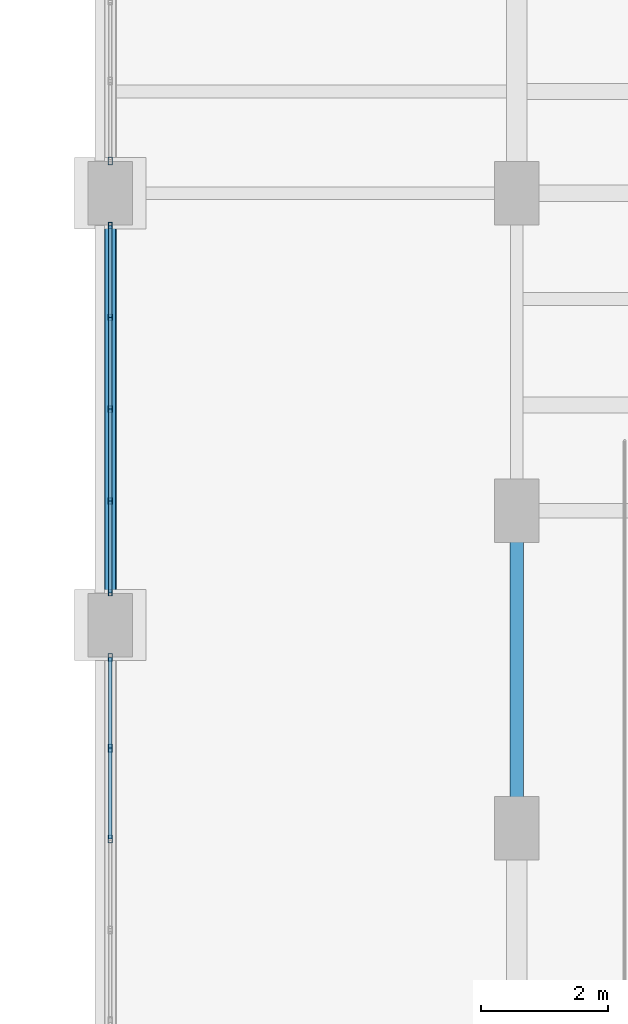
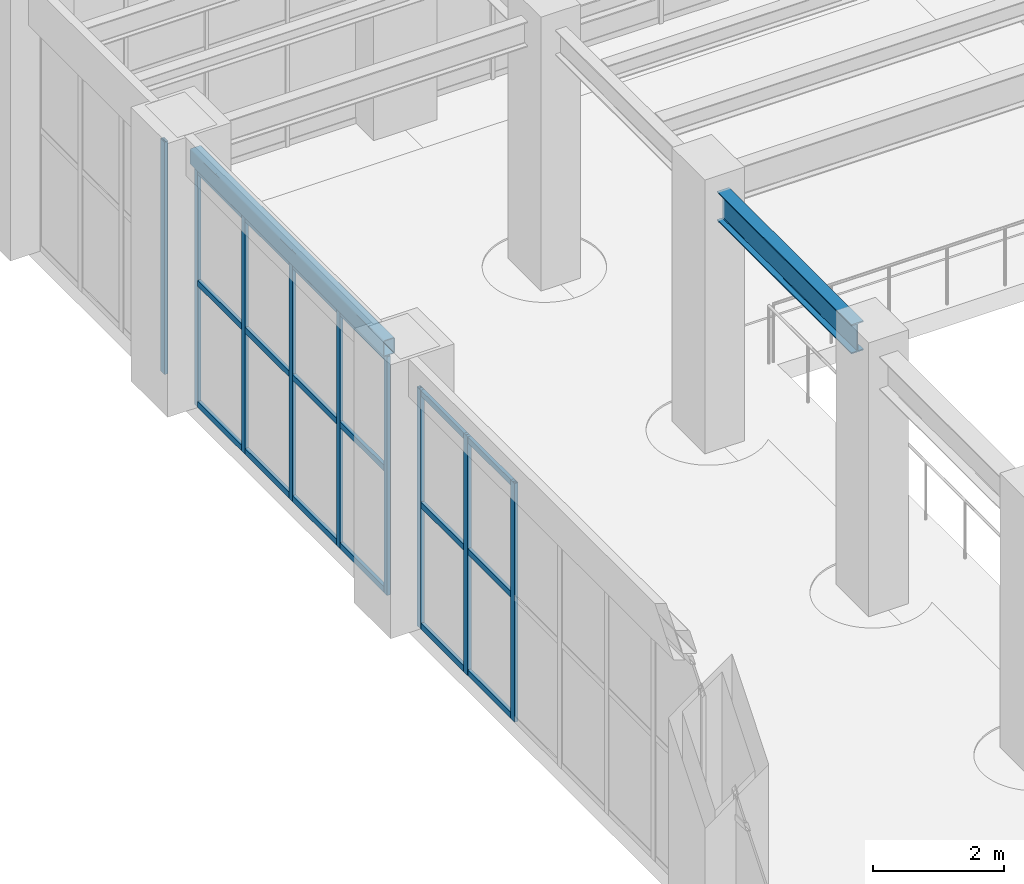
# One storey, part 86 of 174: 27 members, 2 beams, 3 elements without a shape of their own.
"""IFC4 building model written with IfcOpenShell, lengths in metres."""

from ifc_helpers import new_model, si_unit, direction, frame, origin, origin_2d, place, context, subcontext, project, spatial, hollow_rectangle, i_section, extrude, material, material_profile, profile_set, type_object, element, aggregate, save


model = new_model("IFC4")

# Units and contexts
model_context = context("Model", 3, precision=1e-05, world=origin(), true_north=direction((0.0, 1.0)))
body_context = subcontext(model_context, "Body", "Model", "MODEL_VIEW")
ifc_project = project(units=[si_unit("LENGTHUNIT", "METRE"), si_unit("AREAUNIT", "SQUARE_METRE"), si_unit("VOLUMEUNIT", "CUBIC_METRE"), si_unit("PLANEANGLEUNIT", "RADIAN"), si_unit("MASSUNIT", "GRAM", prefix="KILO")], contexts=[model_context])

# Site, building, storey
site_placement = place(None, origin())
site = spatial("IfcSite", under=ifc_project, at=site_placement, CompositionType="ELEMENT")
building_placement = place(site_placement, origin())
building = spatial("IfcBuilding", under=site, at=building_placement, Name="Mavantir Sound Aquarium", CompositionType="ELEMENT")
storey_placement = place(building_placement, frame((0.0, 0.0, 5.39990234375)))
storey = spatial("IfcBuildingStorey", under=building, at=storey_placement, Name="L01", CompositionType="ELEMENT", Elevation=5.39990234375)

# Beams
ifc_material_1 = material(Name="Hollow Structural Steel ASTM A500 GrC", Category="steel")
ifc_material_profile_1 = material_profile(ifc_material_1, hollow_rectangle(XDim=0.199951171875, YDim=0.300048828125, WallThickness=0.012451171875, InnerFilletRadius=0.012451171875, OuterFilletRadius=0.02490234375, at=origin_2d()), Name="RHS 300X200X12.5")
ifc_profile_set_1 = profile_set([ifc_material_profile_1], Name="Hollow Structural Steel ASTM A500 GrC")
beam_type_1 = type_object("IfcBeamType", Name="BM-RHS300-E", PredefinedType="SPANDREL", material=ifc_profile_set_1)
beam_1_placement = place(storey_placement, frame((101.60009765625, 84.449951171875, 4.6259765625), z_axis=(0.0, 1.0, 0.0), x_axis=(-1.0, 0.0, 0.0)))
element("IfcBeam", 1, at=beam_1_placement, inside=storey, type_object=beam_type_1, Name="L01 primary girder SS-R30 1288", PredefinedType="SPANDREL", context=body_context, shape_type="SweptSolid", body=[
    extrude(hollow_rectangle(XDim=0.199951171875, YDim=0.300048828125, WallThickness=0.012451171875, InnerFilletRadius=0.012451171875, OuterFilletRadius=0.02490234375, at=origin_2d()), origin(), (0.0, 0.0, 1.0), 5.900146484375),
])
ifc_material_2 = material(Name="Structural Steel ASTM A992 Gr50", Category="steel")
ifc_material_profile_2 = material_profile(ifc_material_2, i_section(OverallWidth=0.2119140625, OverallDepth=0.5439453125, WebThickness=0.01318359375, FlangeThickness=0.021240234375, FilletRadius=0.01806640625, at=origin_2d()), Name="W530X123")
ifc_profile_set_2 = profile_set([ifc_material_profile_2], Name="Structural Steel ASTM A992 Gr50")
beam_type_2 = type_object("IfcBeamType", Name="BM-W530X123-I", PredefinedType="BEAM", material=ifc_profile_set_2)
beam_2_placement = place(storey_placement, frame((108.0, 81.25, 4.504150390625), z_axis=(0.0, 1.0, 0.0), x_axis=(-1.0, 0.0, 0.0)))
element("IfcBeam", 2, at=beam_2_placement, inside=storey, type_object=beam_type_2, Name="L01 primary girder SB-53 1298", PredefinedType="BEAM", context=body_context, shape_type="SweptSolid", body=[
    extrude(i_section(OverallWidth=0.2119140625, OverallDepth=0.5439453125, WebThickness=0.01318359375, FlangeThickness=0.021240234375, FilletRadius=0.01806640625, at=origin_2d()), origin(), (0.0, 0.0, 1.0), 4.10009765625),
])

# Curtain wall, members
ifc_material_3 = material(Name="Anodised Marine Aluminium and Low-E Glass", Category="aluminium")
curtain_wall_type_1 = type_object("IfcCurtainWallType", Name="CW-T19", PredefinedType="USERDEFINED", material=ifc_material_3)
curtain_wall_1_placement = place(storey_placement, origin())
curtain_wall_1 = element("IfcCurtainWall", 3, at=curtain_wall_1_placement, inside=storey, type_object=curtain_wall_type_1, Name="L01 unitised curtain wall CW-19 91", ObjectType="UNITISED GLAZING", PredefinedType="USERDEFINED")
ifc_material_4 = material(Name="Anodised Marine Aluminium 6063-T6", Category="aluminium")
ifc_material_profile_3 = material_profile(ifc_material_4, hollow_rectangle(XDim=0.06005859375, YDim=0.10009765625, WallThickness=0.00390625, at=origin_2d()), Name="ALU-MULLION-100X60")
ifc_profile_set_3 = profile_set([ifc_material_profile_3], Name="Anodised Marine Aluminium 6063-T6")
member_type_1 = type_object("IfcMemberType", Name="CW-MUL-100", PredefinedType="MULLION", material=ifc_profile_set_3)
member_1_placement = place(storey_placement, frame((101.60009765625, 90.2919921875, 0.0), z_axis=(0.0, 0.0, 1.0), x_axis=(1.0, 0.0, 0.0)))
member_1 = element("IfcMember", 4, at=member_1_placement, type_object=member_type_1, Name="CW-L01-091 vertical mullion 1", PredefinedType="MULLION", context=body_context, shape_type="SweptSolid", body=[
    extrude(hollow_rectangle(XDim=0.06005859375, YDim=0.10009765625, WallThickness=0.00390625, at=origin_2d()), origin(), (0.0, 0.0, 1.0), 4.446044921875),
])
member_2_placement = place(storey_placement, frame((101.60009765625, 88.845947265625, 0.0), z_axis=(0.0, 0.0, 1.0), x_axis=(1.0, 0.0, 0.0)))
member_2 = element("IfcMember", 5, at=member_2_placement, type_object=member_type_1, Name="CW-L01-091 vertical mullion 2", PredefinedType="MULLION", context=body_context, shape_type="SweptSolid", body=[
    extrude(hollow_rectangle(XDim=0.06005859375, YDim=0.10009765625, WallThickness=0.00390625, at=origin_2d()), origin(), (0.0, 0.0, 1.0), 4.446044921875),
])
member_3_placement = place(storey_placement, frame((101.60009765625, 87.39990234375, 0.0), z_axis=(0.0, 0.0, 1.0), x_axis=(1.0, 0.0, 0.0)))
member_3 = element("IfcMember", 6, at=member_3_placement, type_object=member_type_1, Name="CW-L01-091 vertical mullion 3", PredefinedType="MULLION", context=body_context, shape_type="SweptSolid", body=[
    extrude(hollow_rectangle(XDim=0.06005859375, YDim=0.10009765625, WallThickness=0.00390625, at=origin_2d()), origin(), (0.0, 0.0, 1.0), 4.446044921875),
])
member_4_placement = place(storey_placement, frame((101.60009765625, 85.9541015625, 0.0), z_axis=(0.0, 0.0, 1.0), x_axis=(1.0, 0.0, 0.0)))
member_4 = element("IfcMember", 7, at=member_4_placement, type_object=member_type_1, Name="CW-L01-091 vertical mullion 4", PredefinedType="MULLION", context=body_context, shape_type="SweptSolid", body=[
    extrude(hollow_rectangle(XDim=0.06005859375, YDim=0.10009765625, WallThickness=0.00390625, at=origin_2d()), origin(), (0.0, 0.0, 1.0), 4.446044921875),
])
member_5_placement = place(storey_placement, frame((101.60009765625, 84.508056640625, 0.0), z_axis=(0.0, 0.0, 1.0), x_axis=(1.0, 0.0, 0.0)))
member_5 = element("IfcMember", 8, at=member_5_placement, type_object=member_type_1, Name="CW-L01-091 vertical mullion 5", PredefinedType="MULLION", context=body_context, shape_type="SweptSolid", body=[
    extrude(hollow_rectangle(XDim=0.06005859375, YDim=0.10009765625, WallThickness=0.00390625, at=origin_2d()), origin(), (0.0, 0.0, 1.0), 4.446044921875),
])

# Curtain wall, member
curtain_wall_type_2 = type_object("IfcCurtainWallType", Name="CW-T18", PredefinedType="USERDEFINED", material=ifc_material_3)
curtain_wall_2_placement = place(storey_placement, origin())
curtain_wall_2 = element("IfcCurtainWall", 9, at=curtain_wall_2_placement, inside=storey, type_object=curtain_wall_type_2, Name="L01 unitised curtain wall CW-18 90", ObjectType="UNITISED GLAZING", PredefinedType="USERDEFINED")
ifc_material_profile_4 = material_profile(ifc_material_4, hollow_rectangle(XDim=0.06494140625, YDim=0.1201171875, WallThickness=0.00390625, at=origin_2d()), Name="ALU-MULLION-120X65")
ifc_profile_set_4 = profile_set([ifc_material_profile_4], Name="Anodised Marine Aluminium 6063-T6")
member_type_2 = type_object("IfcMemberType", Name="CW-MUL-120", PredefinedType="MULLION", material=ifc_profile_set_4)
member_6_placement = place(storey_placement, frame((101.60009765625, 91.30810546875, 0.0), z_axis=(0.0, 0.0, 1.0), x_axis=(1.0, 0.0, 0.0)))
member_6 = element("IfcMember", 10, at=member_6_placement, type_object=member_type_2, Name="CW-L01-090 vertical mullion 4", PredefinedType="MULLION", context=body_context, shape_type="SweptSolid", body=[
    extrude(hollow_rectangle(XDim=0.06494140625, YDim=0.1201171875, WallThickness=0.00390625, at=origin_2d()), origin(), (0.0, 0.0, 1.0), 4.3291015625),
])
aggregate(curtain_wall_2, [member_6])

# Curtain wall, members
curtain_wall_type_3 = type_object("IfcCurtainWallType", Name="CW-T20", PredefinedType="USERDEFINED", material=ifc_material_3)
curtain_wall_3_placement = place(storey_placement, origin())
curtain_wall_3 = element("IfcCurtainWall", 11, at=curtain_wall_3_placement, inside=storey, type_object=curtain_wall_type_3, Name="L01 unitised curtain wall CW-20 92", ObjectType="UNITISED GLAZING", PredefinedType="USERDEFINED")
member_7_placement = place(storey_placement, frame((101.60009765625, 83.491943359375, 0.0), z_axis=(0.0, 0.0, 1.0), x_axis=(1.0, 0.0, 0.0)))
member_7 = element("IfcMember", 12, at=member_7_placement, type_object=member_type_2, Name="CW-L01-092 vertical mullion 1", PredefinedType="MULLION", context=body_context, shape_type="SweptSolid", body=[
    extrude(hollow_rectangle(XDim=0.06494140625, YDim=0.1201171875, WallThickness=0.00390625, at=origin_2d()), origin(), (0.0, 0.0, 1.0), 4.446044921875),
])
member_8_placement = place(storey_placement, frame((101.60009765625, 82.061279296875, 0.0), z_axis=(0.0, 0.0, 1.0), x_axis=(1.0, 0.0, 0.0)))
member_8 = element("IfcMember", 13, at=member_8_placement, type_object=member_type_2, Name="CW-L01-092 vertical mullion 2", PredefinedType="MULLION", context=body_context, shape_type="SweptSolid", body=[
    extrude(hollow_rectangle(XDim=0.06494140625, YDim=0.1201171875, WallThickness=0.00390625, at=origin_2d()), origin(), (0.0, 0.0, 1.0), 4.446044921875),
])
member_9_placement = place(storey_placement, frame((101.60009765625, 80.630615234375, 0.0), z_axis=(0.0, 0.0, 1.0), x_axis=(1.0, 0.0, 0.0)))
member_9 = element("IfcMember", 14, at=member_9_placement, type_object=member_type_2, Name="CW-L01-092 vertical mullion 3", PredefinedType="MULLION", context=body_context, shape_type="SweptSolid", body=[
    extrude(hollow_rectangle(XDim=0.06494140625, YDim=0.1201171875, WallThickness=0.00390625, at=origin_2d()), origin(), (0.0, 0.0, 1.0), 4.446044921875),
])

# Member
ifc_material_profile_5 = material_profile(ifc_material_4, hollow_rectangle(XDim=0.06005859375, YDim=0.110107421875, WallThickness=0.00390625, at=origin_2d()), Name="ALU-TRANSOM-110X60")
ifc_profile_set_5 = profile_set([ifc_material_profile_5], Name="Anodised Marine Aluminium 6063-T6")
member_type_3 = type_object("IfcMemberType", Name="CW-TRN-110", PredefinedType="USERDEFINED", material=ifc_profile_set_5)
member_10_placement = place(storey_placement, frame((101.60009765625, 90.2919921875, 0.05517578125), z_axis=(0.0, -1.0, 0.0), x_axis=(1.0, 0.0, 0.0)))
member_10 = element("IfcMember", 15, at=member_10_placement, type_object=member_type_3, Name="CW-L01-091 transom 1.1", ObjectType="TRANSOM", PredefinedType="USERDEFINED", context=body_context, shape_type="SweptSolid", body=[
    extrude(hollow_rectangle(XDim=0.06005859375, YDim=0.110107421875, WallThickness=0.00390625, at=origin_2d()), origin(), (0.0, 0.0, 1.0), 1.446044921875),
])

member_11_placement = place(storey_placement, frame((101.60009765625, 90.2919921875, 2.31201171875), z_axis=(0.0, -1.0, 0.0), x_axis=(1.0, 0.0, 0.0)))
member_11 = element("IfcMember", 16, at=member_11_placement, type_object=member_type_3, Name="CW-L01-091 transom 1.2", ObjectType="TRANSOM", PredefinedType="USERDEFINED", context=body_context, shape_type="SweptSolid", body=[
    extrude(hollow_rectangle(XDim=0.06005859375, YDim=0.110107421875, WallThickness=0.00390625, at=origin_2d()), origin(), (0.0, 0.0, 1.0), 1.446044921875),
])

member_12_placement = place(storey_placement, frame((101.60009765625, 90.2919921875, 4.39111328125), z_axis=(0.0, -1.0, 0.0), x_axis=(1.0, 0.0, 0.0)))
member_12 = element("IfcMember", 17, at=member_12_placement, type_object=member_type_3, Name="CW-L01-091 transom 1.3", ObjectType="TRANSOM", PredefinedType="USERDEFINED", context=body_context, shape_type="SweptSolid", body=[
    extrude(hollow_rectangle(XDim=0.06005859375, YDim=0.110107421875, WallThickness=0.00390625, at=origin_2d()), origin(), (0.0, 0.0, 1.0), 1.446044921875),
])

member_13_placement = place(storey_placement, frame((101.60009765625, 88.845947265625, 0.05517578125), z_axis=(0.0, -1.0, 0.0), x_axis=(1.0, 0.0, 0.0)))
member_13 = element("IfcMember", 18, at=member_13_placement, type_object=member_type_3, Name="CW-L01-091 transom 2.1", ObjectType="TRANSOM", PredefinedType="USERDEFINED", context=body_context, shape_type="SweptSolid", body=[
    extrude(hollow_rectangle(XDim=0.06005859375, YDim=0.110107421875, WallThickness=0.00390625, at=origin_2d()), origin(), (0.0, 0.0, 1.0), 1.446044921875),
])

member_14_placement = place(storey_placement, frame((101.60009765625, 88.845947265625, 2.31201171875), z_axis=(0.0, -1.0, 0.0), x_axis=(1.0, 0.0, 0.0)))
member_14 = element("IfcMember", 19, at=member_14_placement, type_object=member_type_3, Name="CW-L01-091 transom 2.2", ObjectType="TRANSOM", PredefinedType="USERDEFINED", context=body_context, shape_type="SweptSolid", body=[
    extrude(hollow_rectangle(XDim=0.06005859375, YDim=0.110107421875, WallThickness=0.00390625, at=origin_2d()), origin(), (0.0, 0.0, 1.0), 1.446044921875),
])

member_15_placement = place(storey_placement, frame((101.60009765625, 88.845947265625, 4.39111328125), z_axis=(0.0, -1.0, 0.0), x_axis=(1.0, 0.0, 0.0)))
member_15 = element("IfcMember", 20, at=member_15_placement, type_object=member_type_3, Name="CW-L01-091 transom 2.3", ObjectType="TRANSOM", PredefinedType="USERDEFINED", context=body_context, shape_type="SweptSolid", body=[
    extrude(hollow_rectangle(XDim=0.06005859375, YDim=0.110107421875, WallThickness=0.00390625, at=origin_2d()), origin(), (0.0, 0.0, 1.0), 1.446044921875),
])

member_16_placement = place(storey_placement, frame((101.60009765625, 87.39990234375, 0.05517578125), z_axis=(0.0, -1.0, 0.0), x_axis=(1.0, 0.0, 0.0)))
member_16 = element("IfcMember", 21, at=member_16_placement, type_object=member_type_3, Name="CW-L01-091 transom 3.1", ObjectType="TRANSOM", PredefinedType="USERDEFINED", context=body_context, shape_type="SweptSolid", body=[
    extrude(hollow_rectangle(XDim=0.06005859375, YDim=0.110107421875, WallThickness=0.00390625, at=origin_2d()), origin(), (0.0, 0.0, 1.0), 1.44580078125),
])

member_17_placement = place(storey_placement, frame((101.60009765625, 87.39990234375, 2.31201171875), z_axis=(0.0, -1.0, 0.0), x_axis=(1.0, 0.0, 0.0)))
member_17 = element("IfcMember", 22, at=member_17_placement, type_object=member_type_3, Name="CW-L01-091 transom 3.2", ObjectType="TRANSOM", PredefinedType="USERDEFINED", context=body_context, shape_type="SweptSolid", body=[
    extrude(hollow_rectangle(XDim=0.06005859375, YDim=0.110107421875, WallThickness=0.00390625, at=origin_2d()), origin(), (0.0, 0.0, 1.0), 1.44580078125),
])

member_18_placement = place(storey_placement, frame((101.60009765625, 87.39990234375, 4.39111328125), z_axis=(0.0, -1.0, 0.0), x_axis=(1.0, 0.0, 0.0)))
member_18 = element("IfcMember", 23, at=member_18_placement, type_object=member_type_3, Name="CW-L01-091 transom 3.3", ObjectType="TRANSOM", PredefinedType="USERDEFINED", context=body_context, shape_type="SweptSolid", body=[
    extrude(hollow_rectangle(XDim=0.06005859375, YDim=0.110107421875, WallThickness=0.00390625, at=origin_2d()), origin(), (0.0, 0.0, 1.0), 1.44580078125),
])

member_19_placement = place(storey_placement, frame((101.60009765625, 85.9541015625, 0.05517578125), z_axis=(0.0, -1.0, 0.0), x_axis=(1.0, 0.0, 0.0)))
member_19 = element("IfcMember", 24, at=member_19_placement, type_object=member_type_3, Name="CW-L01-091 transom 4.1", ObjectType="TRANSOM", PredefinedType="USERDEFINED", context=body_context, shape_type="SweptSolid", body=[
    extrude(hollow_rectangle(XDim=0.06005859375, YDim=0.110107421875, WallThickness=0.00390625, at=origin_2d()), origin(), (0.0, 0.0, 1.0), 1.446044921875),
])

member_20_placement = place(storey_placement, frame((101.60009765625, 85.9541015625, 2.31201171875), z_axis=(0.0, -1.0, 0.0), x_axis=(1.0, 0.0, 0.0)))
member_20 = element("IfcMember", 25, at=member_20_placement, type_object=member_type_3, Name="CW-L01-091 transom 4.2", ObjectType="TRANSOM", PredefinedType="USERDEFINED", context=body_context, shape_type="SweptSolid", body=[
    extrude(hollow_rectangle(XDim=0.06005859375, YDim=0.110107421875, WallThickness=0.00390625, at=origin_2d()), origin(), (0.0, 0.0, 1.0), 1.446044921875),
])

member_21_placement = place(storey_placement, frame((101.60009765625, 85.9541015625, 4.39111328125), z_axis=(0.0, -1.0, 0.0), x_axis=(1.0, 0.0, 0.0)))
member_21 = element("IfcMember", 26, at=member_21_placement, type_object=member_type_3, Name="CW-L01-091 transom 4.3", ObjectType="TRANSOM", PredefinedType="USERDEFINED", context=body_context, shape_type="SweptSolid", body=[
    extrude(hollow_rectangle(XDim=0.06005859375, YDim=0.110107421875, WallThickness=0.00390625, at=origin_2d()), origin(), (0.0, 0.0, 1.0), 1.446044921875),
])

aggregate(curtain_wall_1, [member_1, member_2, member_3, member_4, member_5, member_10, member_11, member_12, member_13, member_14, member_15, member_16, member_17, member_18, member_19, member_20, member_21])

member_22_placement = place(storey_placement, frame((101.60009765625, 83.491943359375, 0.05517578125), z_axis=(0.0, -1.0, 0.0), x_axis=(1.0, 0.0, 0.0)))
member_22 = element("IfcMember", 27, at=member_22_placement, type_object=member_type_3, Name="CW-L01-092 transom 1.1", ObjectType="TRANSOM", PredefinedType="USERDEFINED", context=body_context, shape_type="SweptSolid", body=[
    extrude(hollow_rectangle(XDim=0.06005859375, YDim=0.110107421875, WallThickness=0.00390625, at=origin_2d()), origin(), (0.0, 0.0, 1.0), 1.4306640625),
])

member_23_placement = place(storey_placement, frame((101.60009765625, 83.491943359375, 2.31201171875), z_axis=(0.0, -1.0, 0.0), x_axis=(1.0, 0.0, 0.0)))
member_23 = element("IfcMember", 28, at=member_23_placement, type_object=member_type_3, Name="CW-L01-092 transom 1.2", ObjectType="TRANSOM", PredefinedType="USERDEFINED", context=body_context, shape_type="SweptSolid", body=[
    extrude(hollow_rectangle(XDim=0.06005859375, YDim=0.110107421875, WallThickness=0.00390625, at=origin_2d()), origin(), (0.0, 0.0, 1.0), 1.4306640625),
])

member_24_placement = place(storey_placement, frame((101.60009765625, 83.491943359375, 4.39111328125), z_axis=(0.0, -1.0, 0.0), x_axis=(1.0, 0.0, 0.0)))
member_24 = element("IfcMember", 29, at=member_24_placement, type_object=member_type_3, Name="CW-L01-092 transom 1.3", ObjectType="TRANSOM", PredefinedType="USERDEFINED", context=body_context, shape_type="SweptSolid", body=[
    extrude(hollow_rectangle(XDim=0.06005859375, YDim=0.110107421875, WallThickness=0.00390625, at=origin_2d()), origin(), (0.0, 0.0, 1.0), 1.4306640625),
])

member_25_placement = place(storey_placement, frame((101.60009765625, 82.061279296875, 0.05517578125), z_axis=(0.0, -1.0, 0.0), x_axis=(1.0, 0.0, 0.0)))
member_25 = element("IfcMember", 30, at=member_25_placement, type_object=member_type_3, Name="CW-L01-092 transom 2.1", ObjectType="TRANSOM", PredefinedType="USERDEFINED", context=body_context, shape_type="SweptSolid", body=[
    extrude(hollow_rectangle(XDim=0.06005859375, YDim=0.110107421875, WallThickness=0.00390625, at=origin_2d()), origin(), (0.0, 0.0, 1.0), 1.4306640625),
])

member_26_placement = place(storey_placement, frame((101.60009765625, 82.061279296875, 2.31201171875), z_axis=(0.0, -1.0, 0.0), x_axis=(1.0, 0.0, 0.0)))
member_26 = element("IfcMember", 31, at=member_26_placement, type_object=member_type_3, Name="CW-L01-092 transom 2.2", ObjectType="TRANSOM", PredefinedType="USERDEFINED", context=body_context, shape_type="SweptSolid", body=[
    extrude(hollow_rectangle(XDim=0.06005859375, YDim=0.110107421875, WallThickness=0.00390625, at=origin_2d()), origin(), (0.0, 0.0, 1.0), 1.4306640625),
])

member_27_placement = place(storey_placement, frame((101.60009765625, 82.061279296875, 4.39111328125), z_axis=(0.0, -1.0, 0.0), x_axis=(1.0, 0.0, 0.0)))
member_27 = element("IfcMember", 32, at=member_27_placement, type_object=member_type_3, Name="CW-L01-092 transom 2.3", ObjectType="TRANSOM", PredefinedType="USERDEFINED", context=body_context, shape_type="SweptSolid", body=[
    extrude(hollow_rectangle(XDim=0.06005859375, YDim=0.110107421875, WallThickness=0.00390625, at=origin_2d()), origin(), (0.0, 0.0, 1.0), 1.4306640625),
])

aggregate(curtain_wall_3, [member_7, member_8, member_9, member_22, member_23, member_24, member_25, member_26, member_27])

save(model, "model.ifc")
